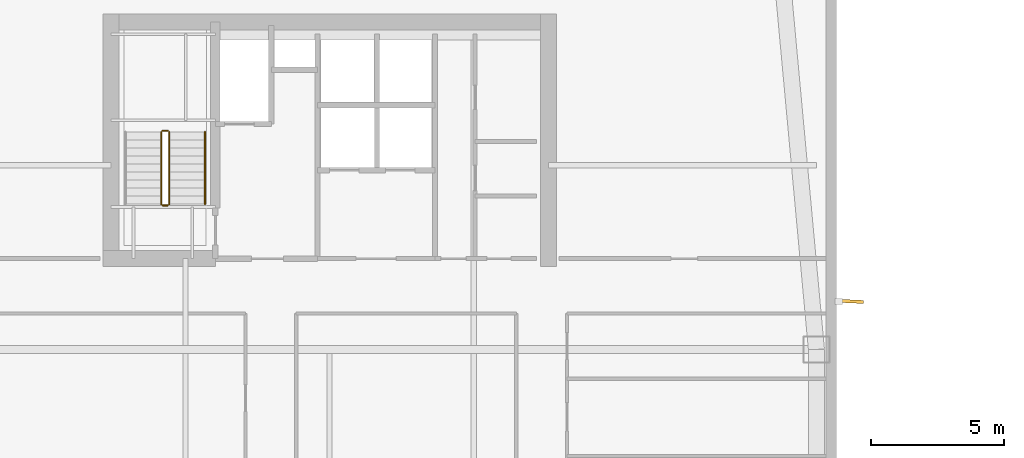
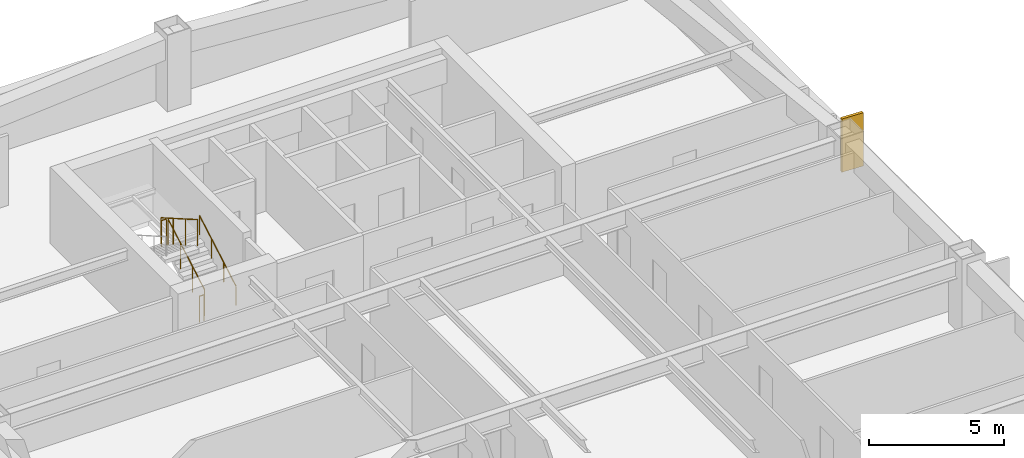
# One storey, part 15 of 17: 5 railings, 1 shading device.
"""IFC4 building model written with IfcOpenShell, lengths in metres."""

import ifcopenshell
import ifcopenshell.guid

model = None  # the IFC model being written
_history = None  # IfcOwnerHistory: only IFC2X3 demands one
_inside = {}  # id of a spatial element -> (the spatial element, [elements in it])
_under = {}  # id of a project, library or spatial element -> (it, [spatial elements below it])
_declared = {}  # id of a project -> (the project, [libraries it declares])
_typed = {}  # id of a type object -> (the type object, [elements of that type])
_made_of = {}  # id of a material, layer set ... -> (it, [elements and type objects made of it])


def new_model(schema):
    """Start an empty IFC model of exactly this schema.

    Asked for "IFC4X3", IfcOpenShell would pick the latest addendum, in which some entities
    have other attributes; the version numbers below select the first issue.
    IFC2X3 requires an IfcOwnerHistory on every rooted entity: one is made here for all.
    """
    global model, _history
    if schema == "IFC4X3":
        model = ifcopenshell.file(schema_version=(4, 3, 0, 0))
    else:
        model = ifcopenshell.file(schema=schema)
    _inside.clear()
    _under.clear()
    _declared.clear()
    _typed.clear()
    _made_of.clear()
    _history = None
    if model.schema == "IFC2X3":
        org = make("IfcOrganization", Name="unknown")
        user = make(
            "IfcPersonAndOrganization",
            ThePerson=make("IfcPerson", FamilyName="unknown"),
            TheOrganization=org,
        )
        app = make(
            "IfcApplication",
            ApplicationDeveloper=org,
            Version="unknown",
            ApplicationFullName="unknown",
            ApplicationIdentifier="unknown",
        )
        _history = make(
            "IfcOwnerHistory",
            OwningUser=user,
            OwningApplication=app,
            ChangeAction="ADDED",
            CreationDate=0,
        )
    return model


def make(cls, **values):
    """One entity of the class cls with the attributes given. An attribute that is None is left unset."""
    return model.create_entity(
        cls, **{name: value for name, value in values.items() if value is not None}
    )


def rooted(cls, **values):
    """An entity with a GlobalId (a new one), such as an element, a storey or a relation."""
    return make(cls, GlobalId=ifcopenshell.guid.new(), OwnerHistory=_history, **values)


def si_unit(unit_type, name, prefix=None):
    """IfcSIUnit, for example si_unit("LENGTHUNIT", "METRE", prefix="MILLI")."""
    return make("IfcSIUnit", UnitType=unit_type, Prefix=prefix, Name=name)


def assignment(units):
    """IfcUnitAssignment: the units of a project."""
    return None if units is None else make("IfcUnitAssignment", Units=units)


def point(xyz):
    """IfcCartesianPoint."""
    return None if xyz is None else make("IfcCartesianPoint", Coordinates=xyz)


def direction(xyz):
    """IfcDirection."""
    return None if xyz is None else make("IfcDirection", DirectionRatios=xyz)


def frame(location, z_axis=None, x_axis=None):
    """IfcAxis2Placement3D, a coordinate frame: its origin and axes. An axis left out is left unset."""
    return make(
        "IfcAxis2Placement3D",
        Location=point(location),
        Axis=direction(z_axis),
        RefDirection=direction(x_axis),
    )


def frame_2d(location, x_axis=None):
    """IfcAxis2Placement2D, a coordinate frame in the plane: its origin and x axis."""
    return make(
        "IfcAxis2Placement2D", Location=point(location), RefDirection=direction(x_axis)
    )


def origin():
    """The frame at (0, 0, 0) with its axes left unset."""
    return frame((0.0, 0.0, 0.0))


def origin_2d():
    """The frame at (0, 0) in the plane with its x axis left unset."""
    return frame_2d((0.0, 0.0))


def place(relative_to, where):
    """IfcLocalPlacement: puts the frame where relative to a parent placement (None: the world)."""
    return make(
        "IfcLocalPlacement", PlacementRelTo=relative_to, RelativePlacement=where
    )


def context(
    kind, dimensions, precision=None, world=None, true_north=None, identifier=None
):
    """IfcGeometricRepresentationContext, for example the 3D "Model" context."""
    return make(
        "IfcGeometricRepresentationContext",
        ContextIdentifier=identifier,
        ContextType=kind,
        CoordinateSpaceDimension=dimensions,
        Precision=precision,
        WorldCoordinateSystem=world,
        TrueNorth=true_north,
    )


def subcontext(parent, identifier, kind, view, scale=None):
    """IfcGeometricRepresentationSubContext, for example "Body" below "Model"."""
    return make(
        "IfcGeometricRepresentationSubContext",
        ContextIdentifier=identifier,
        ContextType=kind,
        ParentContext=parent,
        TargetScale=scale,
        TargetView=view,
    )


def project(units=None, contexts=None):
    """IfcProject with its units and contexts."""
    return rooted(
        "IfcProject",
        Name="project",
        RepresentationContexts=contexts,
        UnitsInContext=assignment(units),
    )


def spatial(cls, under=None, at=None, **own):
    """A site, building, storey or space (cls), placed at a placement, below another one or the project."""
    s = rooted(cls, ObjectPlacement=at, **own)
    if under is not None:
        _under.setdefault(under.id(), (under, []))[1].append(s)
    return s


def profile(cls, at=None, kind="AREA", **sizes):
    """A parametric profile (cls). Its sizes go by their IFC names, for example OverallWidth=200.0."""
    return make(cls, ProfileType=kind, Position=at, **sizes)


def rectangle(**sizes):
    """IfcRectangleProfileDef."""
    return profile("IfcRectangleProfileDef", **sizes)


def circle(**sizes):
    """IfcCircleProfileDef."""
    return profile("IfcCircleProfileDef", **sizes)


def extrude(swept, where, along, depth):
    """IfcExtrudedAreaSolid: the profile swept, set in the frame where, extruded along a direction by depth."""
    return make(
        "IfcExtrudedAreaSolid",
        SweptArea=swept,
        Position=where,
        ExtrudedDirection=direction(along),
        Depth=depth,
    )


def shape(context_of_items, identifier, shape_type, items):
    """IfcShapeRepresentation: the items that make up one representation, for example the "Body"."""
    return make(
        "IfcShapeRepresentation",
        ContextOfItems=context_of_items,
        RepresentationIdentifier=identifier,
        RepresentationType=shape_type,
        Items=items,
    )


def material(Name=None, Category=None):
    """IfcMaterial."""
    return make("IfcMaterial", Name=Name, Category=Category)


def layer(
    of_material, thickness, ventilated=None, Name=None, Category=None, Priority=None
):
    """IfcMaterialLayer: one layer of a wall or slab, of a material (None: an air gap)."""
    return make(
        "IfcMaterialLayer",
        Material=of_material,
        LayerThickness=thickness,
        IsVentilated=ventilated,
        Name=Name,
        Category=Category,
        Priority=Priority,
    )


def layer_set(layers, Name=None):
    """IfcMaterialLayerSet."""
    return make("IfcMaterialLayerSet", MaterialLayers=layers, LayerSetName=Name)


def made_of(thing, what):
    """Note that an element or type object is made of a material, layer set ...; save() writes the relation."""
    if what is not None:
        _made_of.setdefault(what.id(), (what, []))[1].append(thing)
    return thing


def type_object(cls, material=None, **own):
    """A type object (cls), such as IfcWallType, which elements share."""
    return made_of(rooted(cls, **own), material)


def element(
    cls,
    number,
    at=None,
    inside=None,
    cuts=None,
    type_object=None,
    material=None,
    context=None,
    identifier="Body",
    shape_type=None,
    held_by="IfcProductDefinitionShape",
    body=None,
    shapes=None,
    **own,
):
    """One element of the class cls, such as IfcWall. Its Tag is "e" and its number.

    at: its placement. inside: the storey or other place that contains it. cuts: it is an
    opening in that element (IfcRelVoidsElement). A single representation is given by context,
    identifier, shape_type and body (its items); several are given by shapes. held_by: the class
    of the entity that holds the representations. save() writes the other relations.
    """
    e = rooted(cls, Tag="e%d" % number, ObjectPlacement=at, **own)
    if body is not None:
        shapes = [shape(context, identifier, shape_type, body)]
    if shapes is not None:
        e.Representation = make(held_by, Representations=shapes)
    if inside is not None:
        _inside.setdefault(inside.id(), (inside, []))[1].append(e)
    if cuts is not None:
        rooted(
            "IfcRelVoidsElement", RelatingBuildingElement=cuts, RelatedOpeningElement=e
        )
    if type_object is not None:
        _typed.setdefault(type_object.id(), (type_object, []))[1].append(e)
    return made_of(e, material)


def aggregate(whole, parts):
    """IfcRelAggregates: a whole, such as a stair, and the parts it consists of."""
    return rooted("IfcRelAggregates", RelatingObject=whole, RelatedObjects=parts)


def save(model, path):
    """Write the relations noted so far, then the file.

    IfcRelAggregates (storeys below a building ...), IfcRelContainedInSpatialStructure (elements
    in a storey), IfcRelDefinesByType, IfcRelAssociatesMaterial and IfcRelDeclares: one each for
    every whole, place, type object, material and project.
    """
    for whole, parts in _under.values():
        aggregate(whole, parts)
    for where, things in _inside.values():
        rooted(
            "IfcRelContainedInSpatialStructure",
            RelatedElements=things,
            RelatingStructure=where,
        )
    for kind, things in _typed.values():
        rooted("IfcRelDefinesByType", RelatedObjects=things, RelatingType=kind)
    for what, things in _made_of.values():
        rooted("IfcRelAssociatesMaterial", RelatedObjects=things, RelatingMaterial=what)
    for by, libraries in _declared.values():
        rooted("IfcRelDeclares", RelatingContext=by, RelatedDefinitions=libraries)
    model.write(path)


model = new_model("IFC4")

# Units and contexts
model_context = context("Model", 3, precision=1e-05, world=origin(), true_north=direction((0.0, 1.0)))
body_context = subcontext(model_context, "Body", "Model", "MODEL_VIEW")
ifc_project = project(units=[si_unit("LENGTHUNIT", "METRE"), si_unit("AREAUNIT", "SQUARE_METRE"), si_unit("VOLUMEUNIT", "CUBIC_METRE"), si_unit("PLANEANGLEUNIT", "RADIAN"), si_unit("MASSUNIT", "GRAM", prefix="KILO")], contexts=[model_context])

# Site, building, storey
site_placement = place(None, origin())
site = spatial("IfcSite", under=ifc_project, at=site_placement, CompositionType="ELEMENT")
building_placement = place(site_placement, origin())
building = spatial("IfcBuilding", under=site, at=building_placement, Name="Qiaolan Cultural Towers", CompositionType="ELEMENT")
storey_placement = place(building_placement, frame((0.0, 0.0, 152.949951171875)))
storey = spatial("IfcBuildingStorey", under=building, at=storey_placement, Name="L40", CompositionType="ELEMENT", Elevation=152.949951171875)

# Railings
ifc_material_1 = material(Name="Galvanized Painted Steel Stair Guardrail", Category="steel")
railing_type_1 = type_object("IfcRailingType", Name="RL-STAIR-GRD", PredefinedType="GUARDRAIL", material=ifc_material_1)
railing_1_placement = place(storey_placement, frame((23.989990234375, 48.449951171875, 0.172607421875)))
element("IfcRailing", 1, at=railing_1_placement, inside=storey, type_object=railing_type_1, Name="L40 ST-W2 stair guard 1", PredefinedType="GUARDRAIL", context=body_context, shape_type="SweptSolid", body=[
    extrude(circle(Radius=0.02392578125, at=origin_2d()), frame((0.0, 0.0, 1.17578125), z_axis=(0.0, 0.866903762492, 0.498475542607), x_axis=(-1.0, 0.0, 0.0)), (0.0, 0.0, 1.0), 3.114501953125),
    extrude(circle(Radius=0.02099609375, at=origin_2d()), origin(), (0.0, 0.0, 1.0), 1.15185546875),
    extrude(circle(Radius=0.02099609375, at=origin_2d()), frame((0.0, 0.89990234375, 0.517578125)), (0.0, 0.0, 1.0), 1.15185546875),
    extrude(circle(Radius=0.02099609375, at=origin_2d()), frame((0.0, 1.800048828125, 1.034912109375)), (0.0, 0.0, 1.0), 1.15185546875),
    extrude(circle(Radius=0.02099609375, at=origin_2d()), frame((0.0, 2.699951171875, 1.552490234375)), (0.0, 0.0, 1.0), 1.15185546875),
])
railing_2_placement = place(storey_placement, frame((23.93994140625, 51.199951171875, 1.72509765625)))
element("IfcRailing", 2, at=railing_2_placement, inside=storey, type_object=railing_type_1, Name="L40 ST-W2 stair guard 2", PredefinedType="GUARDRAIL", context=body_context, shape_type="SweptSolid", body=[
    extrude(circle(Radius=0.02392578125, at=origin_2d()), frame((0.0, 0.0, 1.17578125), z_axis=(-1.0, 0.0, 0.0), x_axis=(0.0, -1.0, 0.0)), (0.0, 0.0, 1.0), 0.199951171875),
    extrude(circle(Radius=0.02099609375, at=origin_2d()), origin(), (0.0, 0.0, 1.0), 1.15185546875),
    extrude(circle(Radius=0.02099609375, at=origin_2d()), frame((-0.199951171875, 0.0, 0.0)), (0.0, 0.0, 1.0), 1.15185546875),
])
railing_3_placement = place(storey_placement, frame((23.68994140625, 51.14990234375, 1.8974609375)))
element("IfcRailing", 3, at=railing_3_placement, inside=storey, type_object=railing_type_1, Name="L40 ST-W2 stair guard 3", PredefinedType="GUARDRAIL", context=body_context, shape_type="SweptSolid", body=[
    extrude(circle(Radius=0.02392578125, at=origin_2d()), frame((0.0, 0.0, 1.17578125), z_axis=(0.0, -0.866903762492, 0.498475542607), x_axis=(1.0, 0.0, 0.0)), (0.0, 0.0, 1.0), 3.114501953125),
    extrude(circle(Radius=0.02099609375, at=origin_2d()), origin(), (0.0, 0.0, 1.0), 1.15185546875),
    extrude(circle(Radius=0.02099609375, at=origin_2d()), frame((0.0, -0.89990234375, 0.517578125)), (0.0, 0.0, 1.0), 1.15185546875),
    extrude(circle(Radius=0.02099609375, at=origin_2d()), frame((0.0, -1.800048828125, 1.034912109375)), (0.0, 0.0, 1.0), 1.15185546875),
    extrude(circle(Radius=0.02099609375, at=origin_2d()), frame((0.0, -2.699951171875, 1.552490234375)), (0.0, 0.0, 1.0), 1.15185546875),
])
railing_4_placement = place(storey_placement, frame((23.93994140625, 48.39990234375, 0.0)))
element("IfcRailing", 4, at=railing_4_placement, inside=storey, type_object=railing_type_1, Name="L40 ST-W2 stair guard 4", PredefinedType="GUARDRAIL", context=body_context, shape_type="SweptSolid", body=[
    extrude(circle(Radius=0.02392578125, at=origin_2d()), frame((0.0, 0.0, 1.17578125), z_axis=(-1.0, 0.0, 0.0), x_axis=(0.0, -1.0, 0.0)), (0.0, 0.0, 1.0), 0.199951171875),
    extrude(circle(Radius=0.02099609375, at=origin_2d()), origin(), (0.0, 0.0, 1.0), 1.15185546875),
    extrude(circle(Radius=0.02099609375, at=origin_2d()), frame((-0.199951171875, 0.0, 0.0)), (0.0, 0.0, 1.0), 1.15185546875),
])
ifc_material_2 = material(Name="Stainless Steel S30408 Tubular Handrail", Category="steel")
railing_type_2 = type_object("IfcRailingType", Name="RL-STAIR-HR", PredefinedType="HANDRAIL", material=ifc_material_2)
railing_5_placement = place(storey_placement, frame((25.330078125, 48.449951171875, 0.172607421875)))
element("IfcRailing", 5, at=railing_5_placement, inside=storey, type_object=railing_type_2, Name="L40 ST-W2 stair handrail 1", PredefinedType="HANDRAIL", context=body_context, shape_type="SweptSolid", body=[
    extrude(circle(Radius=0.02392578125, at=origin_2d()), frame((0.0, 0.0, 0.8759765625), z_axis=(0.0, 0.866903762492, 0.498475542607), x_axis=(-1.0, 0.0, 0.0)), (0.0, 0.0, 1.0), 3.114501953125),
    extrude(circle(Radius=0.02099609375, at=origin_2d()), origin(), (0.0, 0.0, 1.0), 0.851806640625),
    extrude(circle(Radius=0.02099609375, at=origin_2d()), frame((0.0, 0.89990234375, 0.517578125)), (0.0, 0.0, 1.0), 0.851806640625),
    extrude(circle(Radius=0.02099609375, at=origin_2d()), frame((0.0, 1.800048828125, 1.034912109375)), (0.0, 0.0, 1.0), 0.851806640625),
    extrude(circle(Radius=0.02099609375, at=origin_2d()), frame((0.0, 2.699951171875, 1.552490234375)), (0.0, 0.0, 1.0), 0.851806640625),
])

# Shading device
ifc_material_3 = material(Name="Pierced Warm Terracotta Acoustic Fin", Category="masonry")
ifc_layer = layer(ifc_material_3, 0.1201171875)
ifc_layer_set = layer_set([ifc_layer], Name="Pierced Warm Terracotta Acoustic Fin")
shading_device_type = type_object("IfcShadingDeviceType", Name="SHD-FIN-PIERCED", PredefinedType="USERDEFINED", material=ifc_layer_set)
shading_device_placement = place(storey_placement, frame((49.56005859375, 44.800048828125, 0.10009765625), z_axis=(0.0, 0.0, 1.0), x_axis=(0.998966827039, -0.045445335018, 0.0)))
element("IfcShadingDevice", 6, at=shading_device_placement, inside=storey, type_object=shading_device_type, Name="L40 T1 Expressive Precast Vertical Fin E3", ObjectType="FIN", PredefinedType="USERDEFINED", context=body_context, shape_type="SweptSolid", body=[
    extrude(rectangle(XDim=0.89990234375, YDim=0.1201171875, at=origin_2d()), origin(), (0.0, 0.0, 1.0), 2.409912109375),
])

save(model, "model.ifc")
